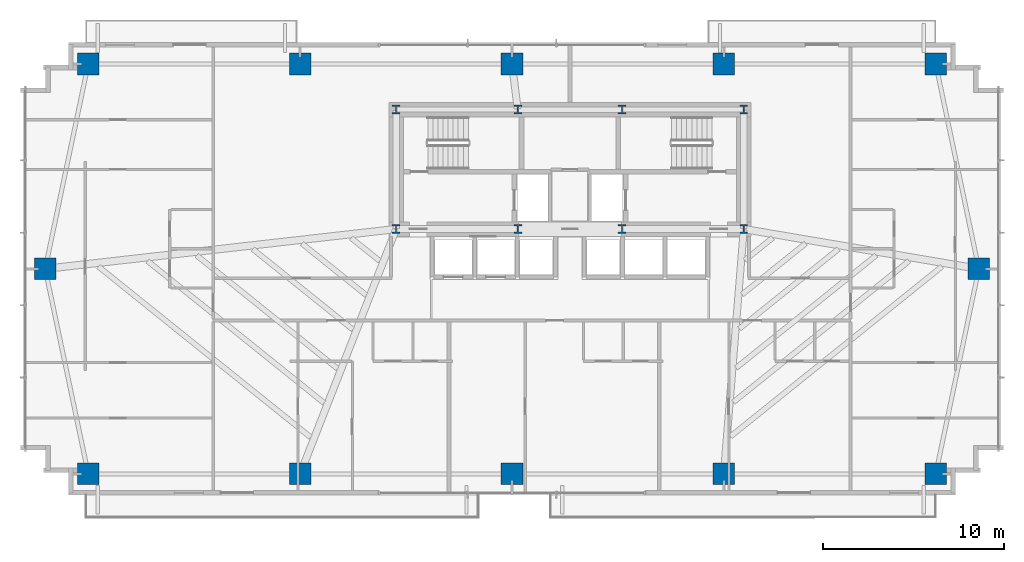
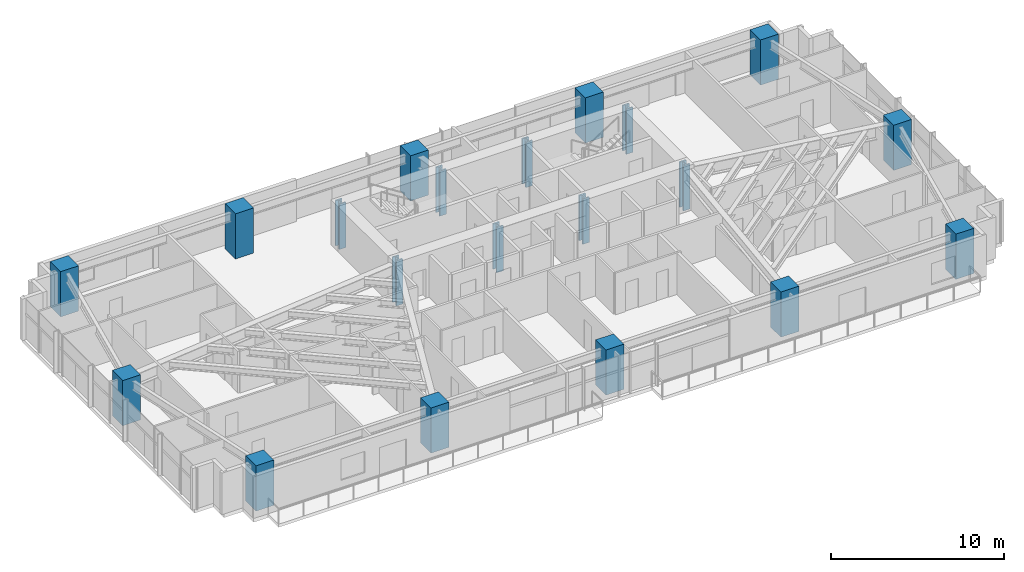
# One storey, part 1 of 25: 20 columns.
"""IFC4 building model written with IfcOpenShell, lengths in metres."""

from ifc_helpers import new_model, si_unit, direction, frame, origin, origin_2d, place, context, subcontext, project, spatial, rectangle, i_section, extrude, source, transform, mapped, material, material_profile, profile_set, type_object, type_shapes, element, save


model = new_model("IFC4")

# Units and contexts
model_context = context("Model", 3, precision=1e-05, world=origin(), true_north=direction((0.0, 1.0)))
body_context = subcontext(model_context, "Body", "Model", "MODEL_VIEW")
ifc_project = project(units=[si_unit("LENGTHUNIT", "METRE"), si_unit("AREAUNIT", "SQUARE_METRE"), si_unit("VOLUMEUNIT", "CUBIC_METRE"), si_unit("PLANEANGLEUNIT", "RADIAN"), si_unit("MASSUNIT", "GRAM", prefix="KILO")], contexts=[model_context])

# Site, building, storey
site_placement = place(None, origin())
site = spatial("IfcSite", under=ifc_project, at=site_placement, CompositionType="ELEMENT")
building_placement = place(site_placement, origin())
building = spatial("IfcBuilding", under=site, at=building_placement, Name="Astriad Promenade Condominiums", CompositionType="ELEMENT")
storey_placement = place(building_placement, frame((0.0, 0.0, 51.800048828125)))
storey = spatial("IfcBuildingStorey", under=building, at=storey_placement, Name="L14", CompositionType="ELEMENT", Elevation=51.800048828125)

# Columns
ifc_material_1 = material(Name="Steel ASTM A992 Grade 50", Category="steel")
ifc_material_profile_1 = material_profile(ifc_material_1, i_section(OverallWidth=0.43701171875, OverallDepth=0.51416015625, WebThickness=0.060546875, FlangeThickness=0.096923828125, FilletRadius=0.017822265625, at=origin_2d()), Name="W14X550")
ifc_profile_set_1 = profile_set([ifc_material_profile_1], Name="Steel ASTM A992 Grade 50")
column_type_1 = type_object("IfcColumnType", Name="STEEL CORE PILASTER W14X550", PredefinedType="PILASTER", material=ifc_profile_set_1)
shared_shape_1 = source(origin(), body_context, "Body", "SweptSolid", [
    extrude(i_section(OverallWidth=0.43701171875, OverallDepth=0.51416015625, WebThickness=0.060546875, FlangeThickness=0.096923828125, FilletRadius=0.017822265625, at=origin_2d()), origin(), (0.0, 0.0, 1.0), 3.196044921875),
])
type_shapes(column_type_1, [shared_shape_1])
for number, where, z_axis, x_axis, name in (
    (1, (26.39990234375, 17.39990234375, 0.001953125), (0.0, 0.0, 1.0), (1.0, 0.0, 0.0), "Core Pilaster Column CP1 (L14)"),
    (2, (33.1201171875, 17.39990234375, 0.001953125), (0.0, 0.0, 1.0), (1.0, 0.0, 0.0), "Core Pilaster Column CP2 (L14)"),
    (3, (38.8798828125, 17.39990234375, 0.001953125), (0.0, 0.0, 1.0), (1.0, 0.0, 0.0), "Core Pilaster Column CP3 (L14)"),
    (4, (45.60009765625, 17.39990234375, 0.001953125), (0.0, 0.0, 1.0), (1.0, 0.0, 0.0), "Core Pilaster Column CP4 (L14)"),
    (5, (26.39990234375, 24.0, 0.001953125), (0.0, 0.0, 1.0), (1.0, 0.0, 0.0), "Core Pilaster Column CP5 (L14)"),
    (6, (33.1201171875, 24.0, 0.001953125), (0.0, 0.0, 1.0), (1.0, 0.0, 0.0), "Core Pilaster Column CP6 (L14)"),
    (7, (38.8798828125, 24.0, 0.001953125), (0.0, 0.0, 1.0), (1.0, 0.0, 0.0), "Core Pilaster Column CP7 (L14)"),
    (8, (45.60009765625, 24.0, 0.001953125), (0.0, 0.0, 1.0), (1.0, 0.0, 0.0), "Core Pilaster Column CP8 (L14)"),
):
    element("IfcColumn", number, at=place(storey_placement, frame(where, z_axis=z_axis, x_axis=x_axis)), inside=storey, type_object=column_type_1, Name=name, PredefinedType="PILASTER", context=body_context, shape_type="MappedRepresentation", body=[
        mapped(shared_shape_1, transform((0.0, 0.0, 0.0), scale=1.0)),
    ])
ifc_material_2 = material(Name="Concrete C80/95", Category="concrete")
ifc_material_profile_2 = material_profile(ifc_material_2, rectangle(XDim=1.199951171875, YDim=1.199951171875, at=origin_2d()), Name="RC-COL-1200X1200")
ifc_profile_set_2 = profile_set([ifc_material_profile_2], Name="Concrete C80/95")
column_type_2 = type_object("IfcColumnType", Name="CONCRETE MEGA COLUMN 1200X1200", PredefinedType="COLUMN", material=ifc_profile_set_2)
shared_shape_2 = source(origin(), body_context, "Body", "SweptSolid", [
    extrude(rectangle(XDim=1.199951171875, YDim=1.199951171875, at=origin_2d()), origin(), (0.0, 0.0, 1.0), 3.196044921875),
])
type_shapes(column_type_2, [shared_shape_2])
for number, where, z_axis, x_axis, name in (
    (9, (9.39990234375, 3.8798828125, 0.001953125), (0.0, 0.0, 1.0), (1.0, 0.0, 0.0), "Perimeter Column PC01 (L14)"),
    (10, (21.10009765625, 3.8798828125, 0.001953125), (0.0, 0.0, 1.0), (1.0, 0.0, 0.0), "Perimeter Column PC02 (L14)"),
    (11, (32.800048828125, 3.8798828125, 0.001953125), (0.0, 0.0, 1.0), (1.0, 0.0, 0.0), "Perimeter Column PC03 (L14)"),
    (12, (44.5, 3.8798828125, 0.001953125), (0.0, 0.0, 1.0), (1.0, 0.0, 0.0), "Perimeter Column PC04 (L14)"),
    (13, (56.199951171875, 3.8798828125, 0.001953125), (0.0, 0.0, 1.0), (1.0, 0.0, 0.0), "Perimeter Column PC05 (L14)"),
    (14, (9.39990234375, 26.52001953125, 0.001953125), (0.0, 0.0, 1.0), (1.0, 0.0, 0.0), "Perimeter Column PC06 (L14)"),
    (15, (21.10009765625, 26.52001953125, 0.001953125), (0.0, 0.0, 1.0), (1.0, 0.0, 0.0), "Perimeter Column PC07 (L14)"),
    (16, (32.800048828125, 26.52001953125, 0.001953125), (0.0, 0.0, 1.0), (1.0, 0.0, 0.0), "Perimeter Column PC08 (L14)"),
    (17, (44.5, 26.52001953125, 0.001953125), (0.0, 0.0, 1.0), (1.0, 0.0, 0.0), "Perimeter Column PC09 (L14)"),
    (18, (56.199951171875, 26.52001953125, 0.001953125), (0.0, 0.0, 1.0), (1.0, 0.0, 0.0), "Perimeter Column PC10 (L14)"),
    (19, (7.02001953125, 15.199951171875, 0.001953125), (0.0, 0.0, 1.0), (1.0, 0.0, 0.0), "Perimeter Column PC11 (L14)"),
    (20, (58.580078125, 15.199951171875, 0.001953125), (0.0, 0.0, 1.0), (1.0, 0.0, 0.0), "Perimeter Column PC12 (L14)"),
):
    element("IfcColumn", number, at=place(storey_placement, frame(where, z_axis=z_axis, x_axis=x_axis)), inside=storey, type_object=column_type_2, Name=name, PredefinedType="COLUMN", context=body_context, shape_type="MappedRepresentation", body=[
        mapped(shared_shape_2, transform((0.0, 0.0, 0.0), scale=1.0)),
    ])

save(model, "model.ifc")
